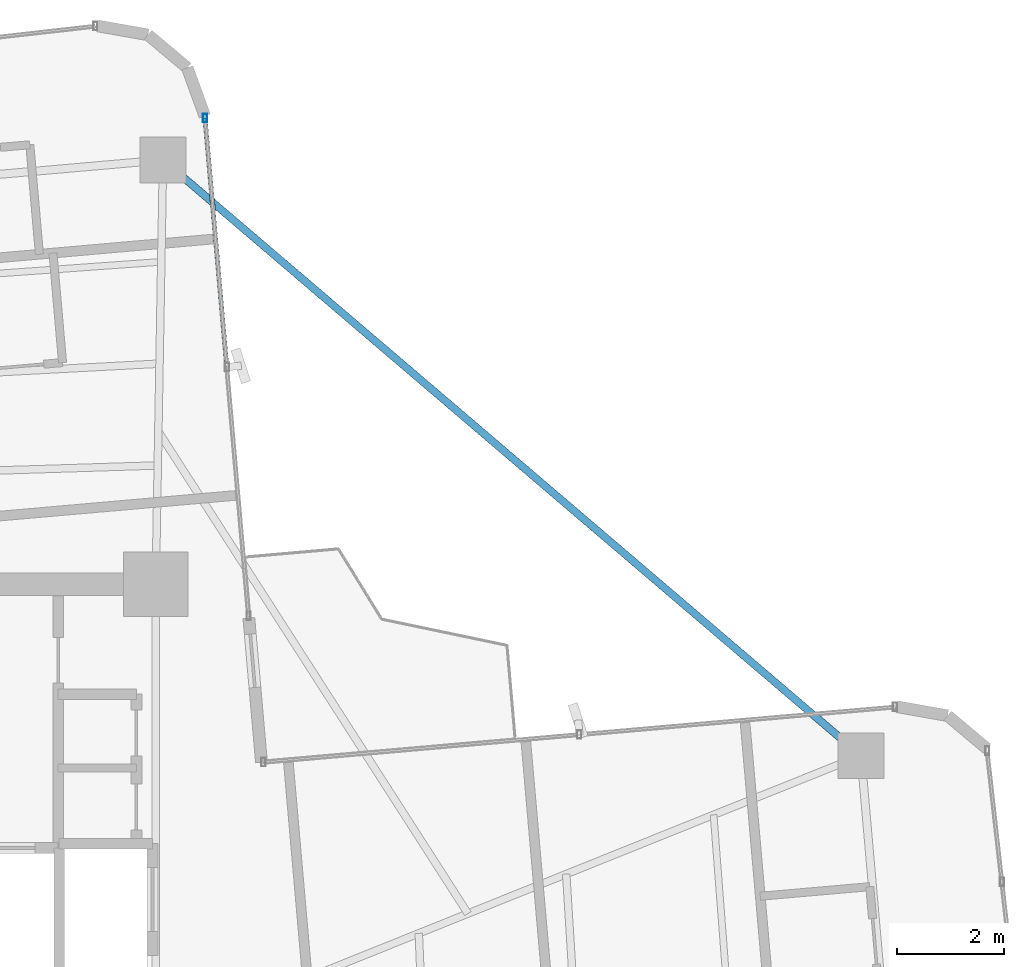
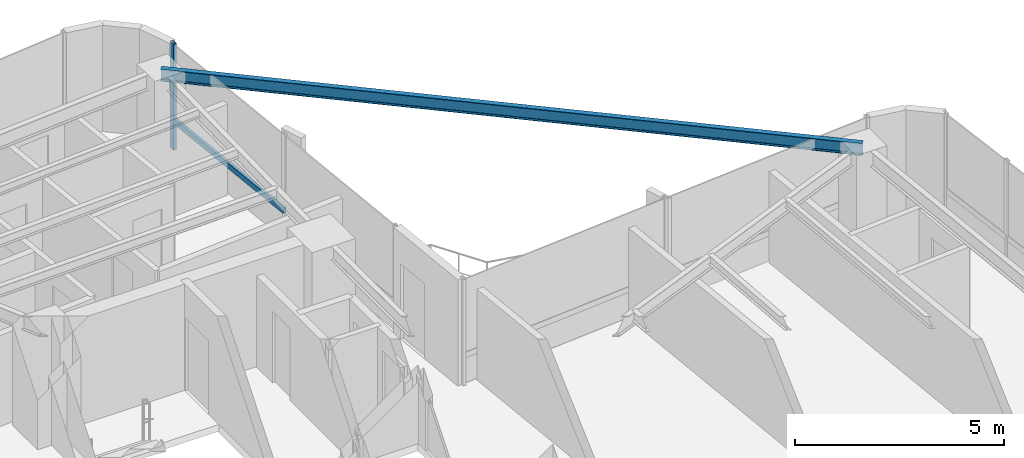
# One storey, part 17 of 24: 2 members, 1 beam, 1 element without a shape of its own.
"""IFC4 building model written with IfcOpenShell, lengths in metres."""

import ifcopenshell
import ifcopenshell.guid

model = None  # the IFC model being written
_history = None  # IfcOwnerHistory: only IFC2X3 demands one
_inside = {}  # id of a spatial element -> (the spatial element, [elements in it])
_under = {}  # id of a project, library or spatial element -> (it, [spatial elements below it])
_declared = {}  # id of a project -> (the project, [libraries it declares])
_typed = {}  # id of a type object -> (the type object, [elements of that type])
_made_of = {}  # id of a material, layer set ... -> (it, [elements and type objects made of it])


def new_model(schema):
    """Start an empty IFC model of exactly this schema.

    Asked for "IFC4X3", IfcOpenShell would pick the latest addendum, in which some entities
    have other attributes; the version numbers below select the first issue.
    IFC2X3 requires an IfcOwnerHistory on every rooted entity: one is made here for all.
    """
    global model, _history
    if schema == "IFC4X3":
        model = ifcopenshell.file(schema_version=(4, 3, 0, 0))
    else:
        model = ifcopenshell.file(schema=schema)
    _inside.clear()
    _under.clear()
    _declared.clear()
    _typed.clear()
    _made_of.clear()
    _history = None
    if model.schema == "IFC2X3":
        org = make("IfcOrganization", Name="unknown")
        user = make(
            "IfcPersonAndOrganization",
            ThePerson=make("IfcPerson", FamilyName="unknown"),
            TheOrganization=org,
        )
        app = make(
            "IfcApplication",
            ApplicationDeveloper=org,
            Version="unknown",
            ApplicationFullName="unknown",
            ApplicationIdentifier="unknown",
        )
        _history = make(
            "IfcOwnerHistory",
            OwningUser=user,
            OwningApplication=app,
            ChangeAction="ADDED",
            CreationDate=0,
        )
    return model


def make(cls, **values):
    """One entity of the class cls with the attributes given. An attribute that is None is left unset."""
    return model.create_entity(
        cls, **{name: value for name, value in values.items() if value is not None}
    )


def rooted(cls, **values):
    """An entity with a GlobalId (a new one), such as an element, a storey or a relation."""
    return make(cls, GlobalId=ifcopenshell.guid.new(), OwnerHistory=_history, **values)


def si_unit(unit_type, name, prefix=None):
    """IfcSIUnit, for example si_unit("LENGTHUNIT", "METRE", prefix="MILLI")."""
    return make("IfcSIUnit", UnitType=unit_type, Prefix=prefix, Name=name)


def assignment(units):
    """IfcUnitAssignment: the units of a project."""
    return None if units is None else make("IfcUnitAssignment", Units=units)


def point(xyz):
    """IfcCartesianPoint."""
    return None if xyz is None else make("IfcCartesianPoint", Coordinates=xyz)


def direction(xyz):
    """IfcDirection."""
    return None if xyz is None else make("IfcDirection", DirectionRatios=xyz)


def frame(location, z_axis=None, x_axis=None):
    """IfcAxis2Placement3D, a coordinate frame: its origin and axes. An axis left out is left unset."""
    return make(
        "IfcAxis2Placement3D",
        Location=point(location),
        Axis=direction(z_axis),
        RefDirection=direction(x_axis),
    )


def frame_2d(location, x_axis=None):
    """IfcAxis2Placement2D, a coordinate frame in the plane: its origin and x axis."""
    return make(
        "IfcAxis2Placement2D", Location=point(location), RefDirection=direction(x_axis)
    )


def origin():
    """The frame at (0, 0, 0) with its axes left unset."""
    return frame((0.0, 0.0, 0.0))


def origin_2d():
    """The frame at (0, 0) in the plane with its x axis left unset."""
    return frame_2d((0.0, 0.0))


def place(relative_to, where):
    """IfcLocalPlacement: puts the frame where relative to a parent placement (None: the world)."""
    return make(
        "IfcLocalPlacement", PlacementRelTo=relative_to, RelativePlacement=where
    )


def context(
    kind, dimensions, precision=None, world=None, true_north=None, identifier=None
):
    """IfcGeometricRepresentationContext, for example the 3D "Model" context."""
    return make(
        "IfcGeometricRepresentationContext",
        ContextIdentifier=identifier,
        ContextType=kind,
        CoordinateSpaceDimension=dimensions,
        Precision=precision,
        WorldCoordinateSystem=world,
        TrueNorth=true_north,
    )


def subcontext(parent, identifier, kind, view, scale=None):
    """IfcGeometricRepresentationSubContext, for example "Body" below "Model"."""
    return make(
        "IfcGeometricRepresentationSubContext",
        ContextIdentifier=identifier,
        ContextType=kind,
        ParentContext=parent,
        TargetScale=scale,
        TargetView=view,
    )


def project(units=None, contexts=None):
    """IfcProject with its units and contexts."""
    return rooted(
        "IfcProject",
        Name="project",
        RepresentationContexts=contexts,
        UnitsInContext=assignment(units),
    )


def spatial(cls, under=None, at=None, **own):
    """A site, building, storey or space (cls), placed at a placement, below another one or the project."""
    s = rooted(cls, ObjectPlacement=at, **own)
    if under is not None:
        _under.setdefault(under.id(), (under, []))[1].append(s)
    return s


def profile(cls, at=None, kind="AREA", **sizes):
    """A parametric profile (cls). Its sizes go by their IFC names, for example OverallWidth=200.0."""
    return make(cls, ProfileType=kind, Position=at, **sizes)


def hollow_rectangle(**sizes):
    """IfcRectangleHollowProfileDef."""
    return profile("IfcRectangleHollowProfileDef", **sizes)


def i_section(**sizes):
    """IfcIShapeProfileDef."""
    return profile("IfcIShapeProfileDef", **sizes)


def extrude(swept, where, along, depth):
    """IfcExtrudedAreaSolid: the profile swept, set in the frame where, extruded along a direction by depth."""
    return make(
        "IfcExtrudedAreaSolid",
        SweptArea=swept,
        Position=where,
        ExtrudedDirection=direction(along),
        Depth=depth,
    )


def shape(context_of_items, identifier, shape_type, items):
    """IfcShapeRepresentation: the items that make up one representation, for example the "Body"."""
    return make(
        "IfcShapeRepresentation",
        ContextOfItems=context_of_items,
        RepresentationIdentifier=identifier,
        RepresentationType=shape_type,
        Items=items,
    )


def source(mapping_origin, context_of_items, identifier, shape_type, items):
    """IfcRepresentationMap: a shape defined once, which mapped items show again and again."""
    return make(
        "IfcRepresentationMap",
        MappingOrigin=mapping_origin,
        MappedRepresentation=shape(context_of_items, identifier, shape_type, items),
    )


def transform(
    local_origin,
    x_axis=None,
    y_axis=None,
    z_axis=None,
    scale=None,
    scale2=None,
    scale3=None,
    uniform=True,
):
    """IfcCartesianTransformationOperator3D, or its non-uniform kind. x_axis, y_axis, z_axis: its Axis1, 2, 3."""
    if uniform:
        return make(
            "IfcCartesianTransformationOperator3D",
            Axis1=direction(x_axis),
            Axis2=direction(y_axis),
            LocalOrigin=point(local_origin),
            Scale=scale,
            Axis3=direction(z_axis),
        )
    return make(
        "IfcCartesianTransformationOperator3DnonUniform",
        Axis1=direction(x_axis),
        Axis2=direction(y_axis),
        LocalOrigin=point(local_origin),
        Scale=scale,
        Axis3=direction(z_axis),
        Scale2=scale2,
        Scale3=scale3,
    )


def mapped(mapping_source, mapping_target):
    """IfcMappedItem: shows the shape of a source again, moved by a transform."""
    return make(
        "IfcMappedItem", MappingSource=mapping_source, MappingTarget=mapping_target
    )


def material(Name=None, Category=None):
    """IfcMaterial."""
    return make("IfcMaterial", Name=Name, Category=Category)


def material_profile(
    of_material, cross_section, Name=None, Category=None, Priority=None
):
    """IfcMaterialProfile: a cross section and its material."""
    return make(
        "IfcMaterialProfile",
        Name=Name,
        Material=of_material,
        Profile=cross_section,
        Priority=Priority,
        Category=Category,
    )


def profile_set(profiles, Name=None, composite=None):
    """IfcMaterialProfileSet."""
    return make(
        "IfcMaterialProfileSet",
        Name=Name,
        MaterialProfiles=profiles,
        CompositeProfile=composite,
    )


def made_of(thing, what):
    """Note that an element or type object is made of a material, layer set ...; save() writes the relation."""
    if what is not None:
        _made_of.setdefault(what.id(), (what, []))[1].append(thing)
    return thing


def type_object(cls, material=None, **own):
    """A type object (cls), such as IfcWallType, which elements share."""
    return made_of(rooted(cls, **own), material)


def element(
    cls,
    number,
    at=None,
    inside=None,
    cuts=None,
    type_object=None,
    material=None,
    context=None,
    identifier="Body",
    shape_type=None,
    held_by="IfcProductDefinitionShape",
    body=None,
    shapes=None,
    **own,
):
    """One element of the class cls, such as IfcWall. Its Tag is "e" and its number.

    at: its placement. inside: the storey or other place that contains it. cuts: it is an
    opening in that element (IfcRelVoidsElement). A single representation is given by context,
    identifier, shape_type and body (its items); several are given by shapes. held_by: the class
    of the entity that holds the representations. save() writes the other relations.
    """
    e = rooted(cls, Tag="e%d" % number, ObjectPlacement=at, **own)
    if body is not None:
        shapes = [shape(context, identifier, shape_type, body)]
    if shapes is not None:
        e.Representation = make(held_by, Representations=shapes)
    if inside is not None:
        _inside.setdefault(inside.id(), (inside, []))[1].append(e)
    if cuts is not None:
        rooted(
            "IfcRelVoidsElement", RelatingBuildingElement=cuts, RelatedOpeningElement=e
        )
    if type_object is not None:
        _typed.setdefault(type_object.id(), (type_object, []))[1].append(e)
    return made_of(e, material)


def aggregate(whole, parts):
    """IfcRelAggregates: a whole, such as a stair, and the parts it consists of."""
    return rooted("IfcRelAggregates", RelatingObject=whole, RelatedObjects=parts)


def save(model, path):
    """Write the relations noted so far, then the file.

    IfcRelAggregates (storeys below a building ...), IfcRelContainedInSpatialStructure (elements
    in a storey), IfcRelDefinesByType, IfcRelAssociatesMaterial and IfcRelDeclares: one each for
    every whole, place, type object, material and project.
    """
    for whole, parts in _under.values():
        aggregate(whole, parts)
    for where, things in _inside.values():
        rooted(
            "IfcRelContainedInSpatialStructure",
            RelatedElements=things,
            RelatingStructure=where,
        )
    for kind, things in _typed.values():
        rooted("IfcRelDefinesByType", RelatedObjects=things, RelatingType=kind)
    for what, things in _made_of.values():
        rooted("IfcRelAssociatesMaterial", RelatedObjects=things, RelatingMaterial=what)
    for by, libraries in _declared.values():
        rooted("IfcRelDeclares", RelatingContext=by, RelatedDefinitions=libraries)
    model.write(path)


model = new_model("IFC4")

# Units and contexts
model_context = context("Model", 3, precision=1e-05, world=origin(), true_north=direction((0.0, 1.0)))
body_context = subcontext(model_context, "Body", "Model", "MODEL_VIEW")
ifc_project = project(units=[si_unit("LENGTHUNIT", "METRE"), si_unit("AREAUNIT", "SQUARE_METRE"), si_unit("VOLUMEUNIT", "CUBIC_METRE"), si_unit("PLANEANGLEUNIT", "RADIAN"), si_unit("MASSUNIT", "GRAM", prefix="KILO")], contexts=[model_context])

# Site, building, storey
site_placement = place(None, origin())
site = spatial("IfcSite", under=ifc_project, at=site_placement, CompositionType="ELEMENT")
building_placement = place(site_placement, origin())
building = spatial("IfcBuilding", under=site, at=building_placement, Name="Sahyath Konkavel Grand Hotel", CompositionType="ELEMENT")
storey_placement = place(building_placement, frame((0.0, 0.0, 181.89990234375)))
storey = spatial("IfcBuildingStorey", under=building, at=storey_placement, Name="L50", CompositionType="ELEMENT", Elevation=181.89990234375)

# Beam
ifc_material_1 = material(Name="Steel E350", Category="steel")
ifc_material_profile_1 = material_profile(ifc_material_1, i_section(OverallWidth=0.139892578125, OverallDepth=0.35009765625, WebThickness=0.008056640625, FlangeThickness=0.01416015625, FilletRadius=0.013916015625, at=origin_2d()), Name="ISMB 350")
ifc_profile_set_1 = profile_set([ifc_material_profile_1], Name="Steel E350")
beam_type = type_object("IfcBeamType", Name="BM-ISMB350", PredefinedType="BEAM", material=ifc_profile_set_1)
shared_shape_1 = source(origin(), body_context, "Body", "SweptSolid", [
    extrude(i_section(OverallWidth=0.139892578125, OverallDepth=0.35009765625, WebThickness=0.008056640625, FlangeThickness=0.01416015625, FilletRadius=0.013916015625, at=origin_2d()), origin(), (0.0, 0.0, 1.0), 17.11279296875),
])
beam_placement = place(storey_placement, frame((16.9541015625, 7.00439453125, 2.93505859375), z_axis=(-0.760711911164, 0.649089661151, 0.0), x_axis=(-0.649089661151, -0.760711911164, 0.0)))
element("IfcBeam", 1, at=beam_placement, inside=storey, type_object=beam_type, Name="L50 Re-Entrant Tie Beam NE", PredefinedType="BEAM", context=body_context, shape_type="MappedRepresentation", body=[
    mapped(shared_shape_1, transform((0.0, 0.0, 0.0), scale=1.0)),
])

# Curtain wall, members
ifc_material_2 = material(Name="Anodised Bronze Aluminium & Low-E Glazing", Category="aluminium")
curtain_wall_type = type_object("IfcCurtainWallType", Name="CW-ZONE3", PredefinedType="NOTDEFINED", material=ifc_material_2)
curtain_wall_placement = place(storey_placement, origin())
curtain_wall = element("IfcCurtainWall", 2, at=curtain_wall_placement, inside=storey, type_object=curtain_wall_type, Name="L50 Unitised Curtain Wall F8", PredefinedType="NOTDEFINED")
ifc_material_3 = material(Name="Anodised Bronze Aluminium", Category="aluminium")
ifc_material_profile_2 = material_profile(ifc_material_3, hollow_rectangle(XDim=0.080078125, YDim=0.159912109375, WallThickness=0.006103515625, at=origin_2d()), Name="RHS 160x80x6")
ifc_profile_set_2 = profile_set([ifc_material_profile_2], Name="Anodised Bronze Aluminium")
member_type_1 = type_object("IfcMemberType", Name="CW-MUL-160", PredefinedType="MULLION", material=ifc_profile_set_2)
shared_shape_2 = source(origin(), body_context, "Body", "SweptSolid", [
    extrude(hollow_rectangle(XDim=0.080078125, YDim=0.159912109375, WallThickness=0.006103515625, at=origin_2d()), origin(), (0.0, 0.0, 1.0), 3.110107421875),
])
member_1_placement = place(storey_placement, frame((4.72119140625, 18.893310546875, 0.0), z_axis=(0.0, 0.0, 1.0), x_axis=(1.0, 0.0, 0.0)))
member_1 = element("IfcMember", 3, at=member_1_placement, type_object=member_type_1, Name="L50 Curtain Wall Mullion F8-2", PredefinedType="MULLION", context=body_context, shape_type="MappedRepresentation", body=[
    mapped(shared_shape_2, transform((0.0, 0.0, 0.0), scale=1.0)),
])
ifc_material_profile_3 = material_profile(ifc_material_3, hollow_rectangle(XDim=0.080078125, YDim=0.159912109375, WallThickness=0.006103515625, at=origin_2d()), Name="RHS 160x80x6")
ifc_profile_set_3 = profile_set([ifc_material_profile_3], Name="Anodised Bronze Aluminium")
member_type_2 = type_object("IfcMemberType", Name="CW-TRN-160", PredefinedType="USERDEFINED", material=ifc_profile_set_3)
shared_shape_3 = source(origin(), body_context, "Body", "SweptSolid", [
    extrude(hollow_rectangle(XDim=0.080078125, YDim=0.159912109375, WallThickness=0.006103515625, at=origin_2d()), origin(), (0.0, 0.0, 1.0), 4.659912109375),
])
member_2_placement = place(storey_placement, frame((5.12744140625, 14.251220703125, 0.85009765625), z_axis=(-0.087181248758, 0.996192466276, 0.0), x_axis=(-0.996192466276, -0.087181248758, 0.0)))
member_2 = element("IfcMember", 4, at=member_2_placement, type_object=member_type_2, Name="L50 Curtain Wall Transom F8-1-spandrel", ObjectType="TRANSOM", PredefinedType="USERDEFINED", context=body_context, shape_type="MappedRepresentation", body=[
    mapped(shared_shape_3, transform((0.0, 0.0, 0.0), scale=1.0)),
])
aggregate(curtain_wall, [member_1, member_2])

save(model, "model.ifc")
